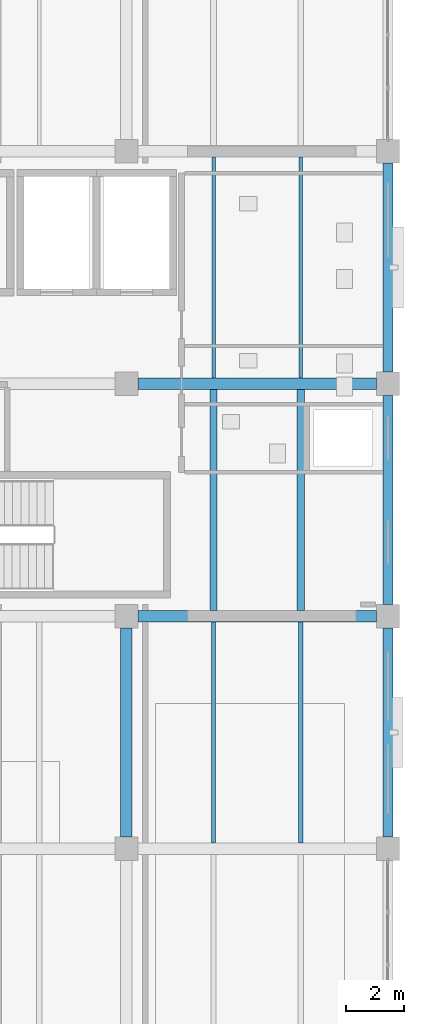
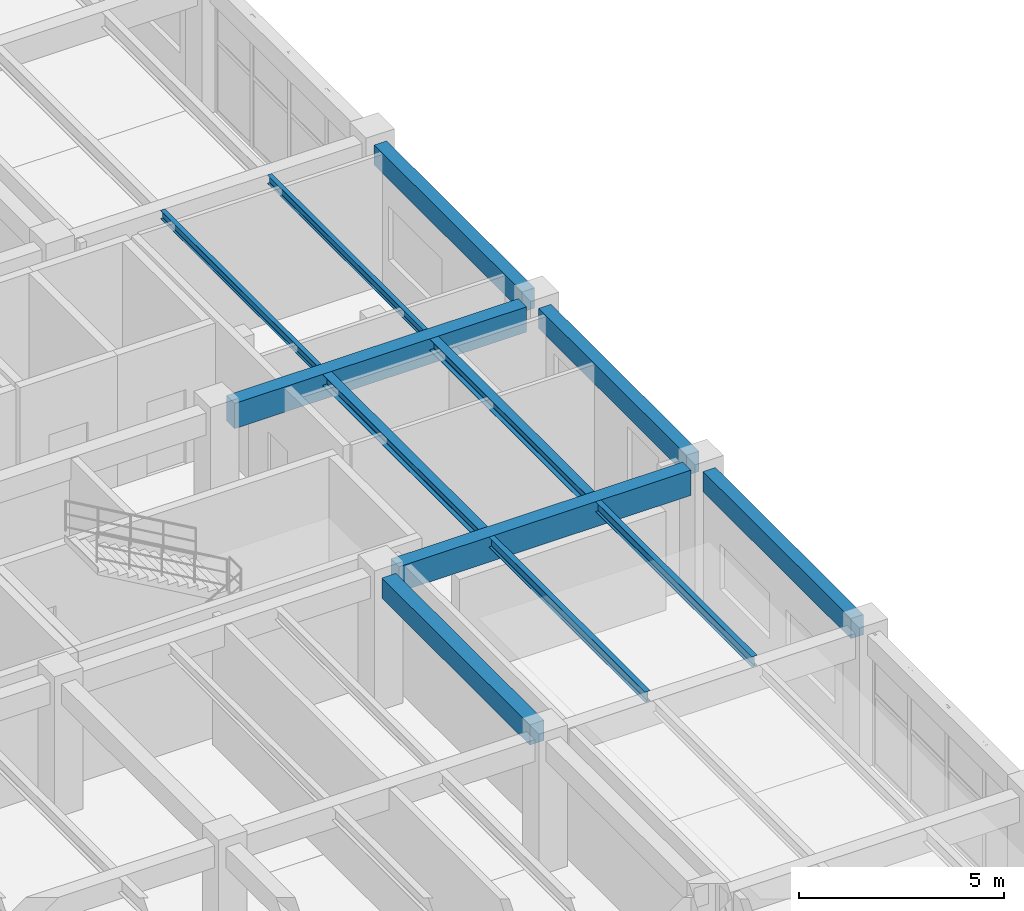
# One storey, part 99 of 148: 12 beams.
"""IFC4 building model written with IfcOpenShell, lengths in metres."""

from ifc_helpers import new_model, si_unit, derived_unit, direction, frame, origin, origin_2d, place, context, subcontext, project, spatial, rectangle, i_section, extrude, material, material_profile, profile_set, type_object, element, save


model = new_model("IFC4")

# Units and contexts
model_context = context("Model", 3, precision=1e-05, world=origin(), true_north=direction((0.0, 1.0)))
body_context = subcontext(model_context, "Body", "Model", "MODEL_VIEW")
ifc_project = project(units=[si_unit("LENGTHUNIT", "METRE"), si_unit("AREAUNIT", "SQUARE_METRE"), si_unit("VOLUMEUNIT", "CUBIC_METRE"), si_unit("PLANEANGLEUNIT", "RADIAN"), si_unit("MASSUNIT", "GRAM", prefix="KILO"), derived_unit("THERMALTRANSMITTANCEUNIT", [(si_unit("MASSUNIT", "GRAM", prefix="KILO"), 1), (si_unit("TIMEUNIT", "SECOND"), -3), (si_unit("THERMODYNAMICTEMPERATUREUNIT", "KELVIN"), -1)])], contexts=[model_context])

# Site, building, storey
site_placement = place(None, origin())
site = spatial("IfcSite", under=ifc_project, at=site_placement, CompositionType="ELEMENT")
building_placement = place(site_placement, origin())
building = spatial("IfcBuilding", under=site, at=building_placement, Name="Zhenchuan Archway Interchange", CompositionType="ELEMENT")
storey_placement = place(building_placement, frame((0.0, 0.0, 10.199951171875)))
storey = spatial("IfcBuildingStorey", under=building, at=storey_placement, Name="L02", CompositionType="ELEMENT", Elevation=10.199951171875)

# Beams
ifc_material_1 = material(Name="Concrete C40", Category="concrete")
ifc_material_profile_1 = material_profile(ifc_material_1, rectangle(XDim=0.39990234375, YDim=0.60009765625, at=origin_2d()), Name="RC 400x600")
ifc_profile_set_1 = profile_set([ifc_material_profile_1], Name="Concrete C40")
beam_type_1 = type_object("IfcBeamType", Name="BM_RC_400x600", PredefinedType="BEAM", material=ifc_profile_set_1)
beam_placement = place(storey_placement, frame((162.0, 40.39990234375, 3.6201171875), z_axis=(0.0, 1.0, 0.0), x_axis=(-1.0, 0.0, 0.0)))
element("IfcBeam", 1, at=beam_placement, inside=storey, type_object=beam_type_1, Name="Beam 19:F-G (L02)", PredefinedType="BEAM", context=body_context, shape_type="SweptSolid", body=[
    extrude(rectangle(XDim=0.39990234375, YDim=0.60009765625, at=origin_2d()), origin(), (0.0, 0.0, 1.0), 7.2001953125),
])
ifc_material_profile_2 = material_profile(ifc_material_1, rectangle(XDim=0.39990234375, YDim=0.75, at=origin_2d()), Name="RC 400x750")
ifc_profile_set_2 = profile_set([ifc_material_profile_2], Name="Concrete C40")
beam_type_2 = type_object("IfcBeamType", Name="BM_RC_400x750", PredefinedType="BEAM", material=ifc_profile_set_2)
for number, where, z_axis, x_axis, name in (
    (2, (162.39990234375, 48.0, 3.545166015625), (1.0, 0.0, 0.0), (0.0, 1.0, 0.0), "Beam G:19-20 (L02)"),
    (3, (162.39990234375, 56.0, 3.545166015625), (1.0, 0.0, 0.0), (0.0, 1.0, 0.0), "Beam H:19-20 (L02)"),
):
    element("IfcBeam", number, at=place(storey_placement, frame(where, z_axis=z_axis, x_axis=x_axis)), inside=storey, type_object=beam_type_2, Name=name, PredefinedType="BEAM", context=body_context, shape_type="SweptSolid", body=[
        extrude(rectangle(XDim=0.39990234375, YDim=0.75, at=origin_2d()), origin(), (0.0, 0.0, 1.0), 8.2001953125),
    ])
ifc_material_2 = material(Name="Steel Q355", Category="steel")
ifc_material_profile_3 = material_profile(ifc_material_2, i_section(OverallWidth=0.25, OverallDepth=0.340087890625, WebThickness=0.009033203125, FlangeThickness=0.013916015625, FilletRadius=0.01806640625, at=origin_2d()), Name="HM 340x250")
ifc_profile_set_3 = profile_set([ifc_material_profile_3], Name="Steel Q355")
beam_type_3 = type_object("IfcBeamType", Name="JST_STL_HM340", PredefinedType="JOIST", material=ifc_profile_set_3)
for number, where, z_axis, x_axis, name in (
    (4, (165.0, 48.199951171875, 3.75), (0.0, 1.0, 0.0), (-1.0, 0.0, 0.0), "Secondary joist 19-20/G-H #1 (L02)"),
    (5, (168.0, 48.199951171875, 3.75), (0.0, 1.0, 0.0), (-1.0, 0.0, 0.0), "Secondary joist 19-20/G-H #2 (L02)"),
):
    element("IfcBeam", number, at=place(storey_placement, frame(where, z_axis=z_axis, x_axis=x_axis)), inside=storey, type_object=beam_type_3, Name=name, PredefinedType="JOIST", context=body_context, shape_type="SweptSolid", body=[
        extrude(i_section(OverallWidth=0.25, OverallDepth=0.340087890625, WebThickness=0.009033203125, FlangeThickness=0.013916015625, FilletRadius=0.01806640625, at=origin_2d()), origin(), (0.0, 0.0, 1.0), 7.60009765625),
    ])
ifc_material_profile_4 = material_profile(ifc_material_2, i_section(OverallWidth=0.125, OverallDepth=0.25, WebThickness=0.006103515625, FlangeThickness=0.009033203125, FilletRadius=0.011962890625, at=origin_2d()), Name="HN 250x125")
ifc_profile_set_4 = profile_set([ifc_material_profile_4], Name="Steel Q355")
beam_type_4 = type_object("IfcBeamType", Name="JST_STL_HN250", PredefinedType="JOIST", material=ifc_profile_set_4)
for number, where, z_axis, x_axis, name in (
    (6, (165.0, 56.199951171875, 3.795166015625), (0.0, 1.0, 0.0), (-1.0, 0.0, 0.0), "Secondary joist 19-20/H-J #1 (L02)"),
    (7, (168.0, 56.199951171875, 3.795166015625), (0.0, 1.0, 0.0), (-1.0, 0.0, 0.0), "Secondary joist 19-20/H-J #2 (L02)"),
):
    element("IfcBeam", number, at=place(storey_placement, frame(where, z_axis=z_axis, x_axis=x_axis)), inside=storey, type_object=beam_type_4, Name=name, PredefinedType="JOIST", context=body_context, shape_type="SweptSolid", body=[
        extrude(i_section(OverallWidth=0.125, OverallDepth=0.25, WebThickness=0.006103515625, FlangeThickness=0.009033203125, FilletRadius=0.011962890625, at=origin_2d()), origin(), (0.0, 0.0, 1.0), 7.60009765625),
    ])
ifc_material_profile_5 = material_profile(ifc_material_2, i_section(OverallWidth=0.14990234375, OverallDepth=0.300048828125, WebThickness=0.006591796875, FlangeThickness=0.009033203125, FilletRadius=0.012939453125, at=origin_2d()), Name="HN 300x150")
ifc_profile_set_5 = profile_set([ifc_material_profile_5], Name="Steel Q355")
beam_type_5 = type_object("IfcBeamType", Name="JST_STL_HN300", PredefinedType="JOIST", material=ifc_profile_set_5)
for number, where, z_axis, x_axis, name in (
    (8, (165.0, 40.199951171875, 3.77001953125), (0.0, 1.0, 0.0), (-1.0, 0.0, 0.0), "Secondary joist 19-20/F-G #1 (L02)"),
    (9, (168.0, 40.199951171875, 3.77001953125), (0.0, 1.0, 0.0), (-1.0, 0.0, 0.0), "Secondary joist 19-20/F-G #2 (L02)"),
):
    element("IfcBeam", number, at=place(storey_placement, frame(where, z_axis=z_axis, x_axis=x_axis)), inside=storey, type_object=beam_type_5, Name=name, PredefinedType="JOIST", context=body_context, shape_type="SweptSolid", body=[
        extrude(i_section(OverallWidth=0.14990234375, OverallDepth=0.300048828125, WebThickness=0.006591796875, FlangeThickness=0.009033203125, FilletRadius=0.012939453125, at=origin_2d()), origin(), (0.0, 0.0, 1.0), 7.60009765625),
    ])
ifc_material_profile_6 = material_profile(ifc_material_1, rectangle(XDim=0.35009765625, YDim=0.60009765625, at=origin_2d()), Name="RC 350x600")
ifc_profile_set_6 = profile_set([ifc_material_profile_6], Name="Concrete C40")
beam_type_6 = type_object("IfcBeamType", Name="SP_RC_350x600", PredefinedType="SPANDREL", material=ifc_profile_set_6)
for number, where, z_axis, x_axis, name in (
    (10, (171.0, 40.39990234375, 3.6201171875), (0.0, 1.0, 0.0), (-1.0, 0.0, 0.0), "Beam 20:F-G (L02)"),
    (11, (171.0, 48.39990234375, 3.6201171875), (0.0, 1.0, 0.0), (-1.0, 0.0, 0.0), "Beam 20:G-H (L02)"),
    (12, (171.0, 56.39990234375, 3.6201171875), (0.0, 1.0, 0.0), (-1.0, 0.0, 0.0), "Beam 20:H-J (L02)"),
):
    element("IfcBeam", number, at=place(storey_placement, frame(where, z_axis=z_axis, x_axis=x_axis)), inside=storey, type_object=beam_type_6, Name=name, PredefinedType="SPANDREL", context=body_context, shape_type="SweptSolid", body=[
        extrude(rectangle(XDim=0.35009765625, YDim=0.60009765625, at=origin_2d()), origin(), (0.0, 0.0, 1.0), 7.2001953125),
    ])

save(model, "model.ifc")
